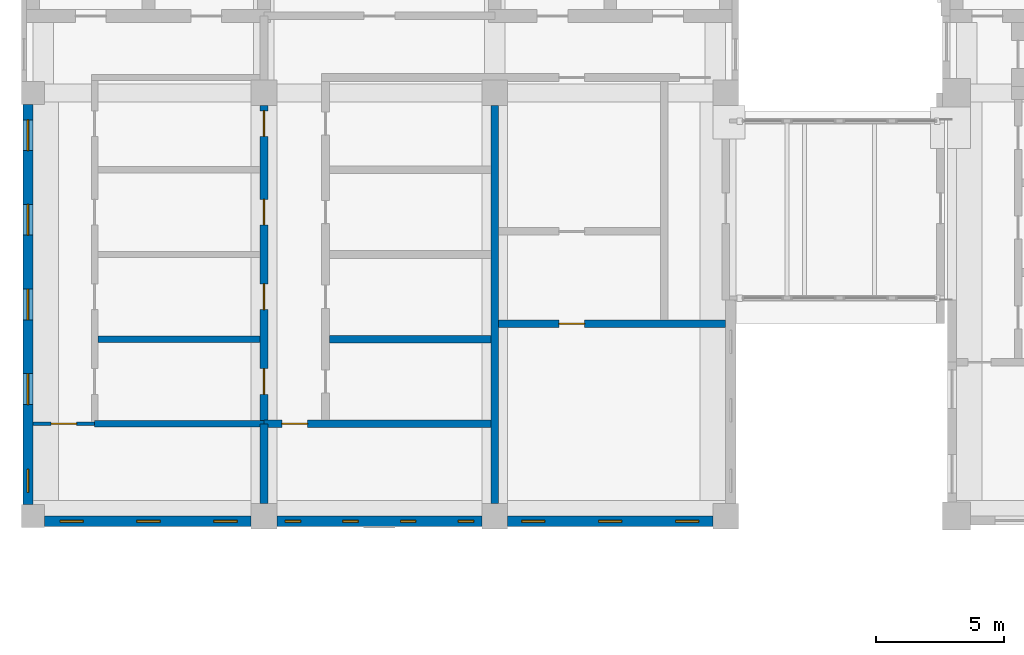
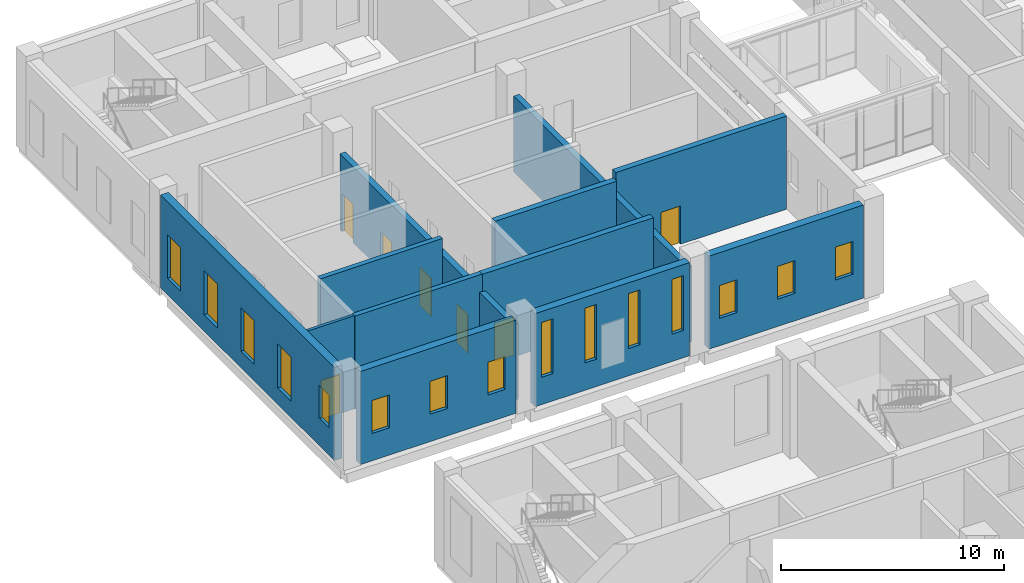
# One storey, part 30 of 52: 15 windows, 13 walls, 7 doors, 22 openings.
"""IFC4 building model written with IfcOpenShell, lengths in metres."""

from ifc_helpers import new_model, si_unit, direction, frame, frame_2d, origin, place, context, subcontext, project, spatial, rectangle, extrude, material, layer, layer_set, type_object, element, fill, save


model = new_model("IFC4")

# Units and contexts
model_context = context("Model", 3, precision=1e-05, world=origin(), true_north=direction((0.0, 1.0)))
body_context = subcontext(model_context, "Body", "Model", "MODEL_VIEW")
ifc_project = project(units=[si_unit("LENGTHUNIT", "METRE"), si_unit("AREAUNIT", "SQUARE_METRE"), si_unit("VOLUMEUNIT", "CUBIC_METRE"), si_unit("PLANEANGLEUNIT", "RADIAN"), si_unit("MASSUNIT", "GRAM", prefix="KILO")], contexts=[model_context])

# Site, building, storey
site_placement = place(None, origin())
site = spatial("IfcSite", under=ifc_project, at=site_placement, CompositionType="ELEMENT")
building_placement = place(site_placement, origin())
building = spatial("IfcBuilding", under=site, at=building_placement, Name="Aurelan Courthouse", CompositionType="ELEMENT")
storey_placement = place(building_placement, frame((0.0, 0.0, 6.60009765625)))
storey = spatial("IfcBuildingStorey", under=building, at=storey_placement, Name="L01", CompositionType="ELEMENT", Elevation=6.60009765625)

# Wall, opening, door
ifc_material_1 = material(Name="Gypsum board on metal studs")
ifc_layer_1 = layer(ifc_material_1, 0.14990234375)
ifc_layer_set_1 = layer_set([ifc_layer_1], Name="Gypsum board on metal studs")
wall_type_1 = type_object("IfcWallType", Name="Corridor partition 150 EI 60", PredefinedType="PARTITIONING", material=ifc_layer_set_1)
wall_1_placement = place(storey_placement, frame((0.0, 41.10009765625, 0.0), z_axis=(0.0, 0.0, 1.0), x_axis=(1.0, 0.0, 0.0)))
wall_1 = element("IfcWall", 1, at=wall_1_placement, inside=storey, type_object=wall_type_1, Name="Corridor partition L01-030", PredefinedType="PARTITIONING", context=body_context, shape_type="SweptSolid", body=[
    extrude(rectangle(XDim=2.39990234375, YDim=0.14990234375, at=frame_2d((1.199951171875, 0.0))), origin(), (0.0, 0.0, 1.0), 5.099853515625),
])
opening_1_placement = place(wall_1_placement, frame((1.699951171875, 0.0, 0.0), z_axis=(0.0, 0.0, 1.0), x_axis=(-1.0, 0.0, 0.0)))
opening_1 = element("IfcOpeningElement", 2, at=opening_1_placement, cuts=wall_1, Name="Opening D-L01-109", PredefinedType="OPENING", context=body_context, shape_type="SweptSolid", body=[
    extrude(rectangle(XDim=1.0, YDim=2.10009765625, at=frame_2d((0.5, 1.050048828125))), frame((0.0, 0.0849609375, 0.0), z_axis=(0.0, -1.0, 0.0), x_axis=(1.0, 0.0, 0.0)), (0.0, 0.0, 1.0), 0.169921875),
])
ifc_material_2 = material(Name="Steel", Category="steel")
door_type_1 = type_object("IfcDoorType", Name="Single door 1000 x 2100 FD60", OperationType="SINGLE_SWING_LEFT", PredefinedType="DOOR", material=ifc_material_2)
door_1_placement = place(opening_1_placement, origin())
door_1 = element("IfcDoor", 3, at=door_1_placement, inside=storey, type_object=door_type_1, Name="Single door D-L01-109", OperationType="SINGLE_SWING_RIGHT", OverallHeight=2.10009765625, OverallWidth=1.0, PredefinedType="DOOR", context=body_context, shape_type="SweptSolid", body=[
    extrude(rectangle(XDim=1.0, YDim=2.10009765625, at=frame_2d((0.5, 1.050048828125))), frame((0.0, 0.02490234375, 0.0), z_axis=(0.0, -1.0, 0.0), x_axis=(1.0, 0.0, 0.0)), (0.0, 0.0, 1.0), 0.050048828125),
])
fill(opening_1, door_1)

# Walls
ifc_material_3 = material(Name="Masonry block", Category="masonry")
ifc_layer_2 = layer(ifc_material_3, 0.25)
ifc_layer_set_2 = layer_set([ifc_layer_2], Name="Masonry block")
wall_type_2 = type_object("IfcWallType", Name="Courtroom wall 250 EI 60", PredefinedType="PARTITIONING", material=ifc_layer_set_2)
wall_2_placement = place(storey_placement, frame((2.39990234375, 41.10009765625, 0.0), z_axis=(0.0, 0.0, 1.0), x_axis=(1.0, 0.0, 0.0)))
element("IfcWall", 4, at=wall_2_placement, inside=storey, type_object=wall_type_2, Name="Courtroom wall L01-031", PredefinedType="PARTITIONING", context=body_context, shape_type="SweptSolid", body=[
    extrude(rectangle(XDim=6.60009765625, YDim=0.25, at=frame_2d((3.300048828125, 0.0))), origin(), (0.0, 0.0, 1.0), 5.099853515625),
])
wall_3_placement = place(storey_placement, frame((2.52490234375, 44.39990234375, 0.0), z_axis=(0.0, 0.0, 1.0), x_axis=(1.0, 0.0, 0.0)))
element("IfcWall", 5, at=wall_3_placement, inside=storey, type_object=wall_type_2, Name="Courtroom wall L01-034", PredefinedType="PARTITIONING", context=body_context, shape_type="SweptSolid", body=[
    extrude(rectangle(XDim=6.3251953125, YDim=0.25, at=frame_2d((3.16259765625, 0.0))), origin(), (0.0, 0.0, 1.0), 5.099853515625),
])

# Wall, openings, windows
ifc_material_4 = material(Name="Granite cladding", Category="masonry")
ifc_layer_3 = layer(ifc_material_4, 0.114990234375, Name="Facing")
ifc_material_5 = material(Name="Ventilated cavity")
ifc_layer_4 = layer(ifc_material_5, 0.02490234375, ventilated=True, Name="Ventilated cavity")
ifc_material_6 = material(Name="Mineral wool insulation")
ifc_layer_5 = layer(ifc_material_6, 0.054931640625, Name="Insulation")
ifc_material_7 = material(Name="Concrete C30", Category="concrete")
ifc_layer_6 = layer(ifc_material_7, 0.205078125, Name="Structure")
ifc_layer_set_3 = layer_set([ifc_layer_3, ifc_layer_4, ifc_layer_5, ifc_layer_6], Name="Concrete C30")
wall_type_3 = type_object("IfcWallType", Name="Custody Suite granite-faced wall 400", PredefinedType="SOLIDWALL", material=ifc_layer_set_3)
wall_4_placement = place(storey_placement, frame((0.449951171875, 37.300048828125, 0.0), z_axis=(0.0, 0.0, 1.0), x_axis=(1.0, 0.0, 0.0)))
wall_4 = element("IfcWall", 6, at=wall_4_placement, inside=storey, type_object=wall_type_3, Name="Facade wall FW-V6-L01-001", PredefinedType="SOLIDWALL", context=body_context, shape_type="SweptSolid", body=[
    extrude(rectangle(XDim=8.050048828125, YDim=0.39990234375, at=frame_2d((4.02490234375, 0.0))), origin(), (0.0, 0.0, 1.0), 5.099853515625),
])
opening_2_placement = place(wall_4_placement, frame((0.60009765625, 0.0, 1.5)))
opening_2 = element("IfcOpeningElement", 7, at=opening_2_placement, cuts=wall_4, Name="Opening WN-V6-L01-001", PredefinedType="OPENING", context=body_context, shape_type="SweptSolid", body=[
    extrude(rectangle(XDim=0.89990234375, YDim=1.800048828125, at=frame_2d((0.449951171875, 0.89990234375))), frame((0.0, 0.2099609375, 0.0), z_axis=(0.0, -1.0, 0.0), x_axis=(1.0, 0.0, 0.0)), (0.0, 0.0, 1.0), 0.419921875),
])
opening_3_placement = place(wall_4_placement, frame((3.60009765625, 0.0, 1.5)))
opening_3 = element("IfcOpeningElement", 8, at=opening_3_placement, cuts=wall_4, Name="Opening WN-V6-L01-002", PredefinedType="OPENING", context=body_context, shape_type="SweptSolid", body=[
    extrude(rectangle(XDim=0.89990234375, YDim=1.800048828125, at=frame_2d((0.449951171875, 0.89990234375))), frame((0.0, 0.2099609375, 0.0), z_axis=(0.0, -1.0, 0.0), x_axis=(1.0, 0.0, 0.0)), (0.0, 0.0, 1.0), 0.419921875),
])
opening_4_placement = place(wall_4_placement, frame((6.60009765625, 0.0, 1.5)))
opening_4 = element("IfcOpeningElement", 9, at=opening_4_placement, cuts=wall_4, Name="Opening WN-V6-L01-003", PredefinedType="OPENING", context=body_context, shape_type="SweptSolid", body=[
    extrude(rectangle(XDim=0.89990234375, YDim=1.800048828125, at=frame_2d((0.449951171875, 0.89990234375))), frame((0.0, 0.2099609375, 0.0), z_axis=(0.0, -1.0, 0.0), x_axis=(1.0, 0.0, 0.0)), (0.0, 0.0, 1.0), 0.419921875),
])
ifc_material_8 = material(Name="Bronze-finished aluminium and glass", Category="aluminium")
window_type_1 = type_object("IfcWindowType", Name="Custody Suite window 900 x 1800, sill 1500", PartitioningType="SINGLE_PANEL", PredefinedType="WINDOW", material=ifc_material_8)
window_1_placement = place(opening_2_placement, origin())
window_1 = element("IfcWindow", 10, at=window_1_placement, inside=storey, type_object=window_type_1, Name="Window WN-V6-L01-001", OverallHeight=1.800048828125, OverallWidth=0.89990234375, PartitioningType="SINGLE_PANEL", PredefinedType="WINDOW", context=body_context, shape_type="SweptSolid", body=[
    extrude(rectangle(XDim=0.89990234375, YDim=1.800048828125, at=frame_2d((0.449951171875, 0.89990234375))), frame((0.0, 0.030029296875, 0.0), z_axis=(0.0, -1.0, 0.0), x_axis=(1.0, 0.0, 0.0)), (0.0, 0.0, 1.0), 0.06005859375),
])
fill(opening_2, window_1)
window_2_placement = place(opening_3_placement, origin())
window_2 = element("IfcWindow", 11, at=window_2_placement, inside=storey, type_object=window_type_1, Name="Window WN-V6-L01-002", OverallHeight=1.800048828125, OverallWidth=0.89990234375, PartitioningType="SINGLE_PANEL", PredefinedType="WINDOW", context=body_context, shape_type="SweptSolid", body=[
    extrude(rectangle(XDim=0.89990234375, YDim=1.800048828125, at=frame_2d((0.449951171875, 0.89990234375))), frame((0.0, 0.030029296875, 0.0), z_axis=(0.0, -1.0, 0.0), x_axis=(1.0, 0.0, 0.0)), (0.0, 0.0, 1.0), 0.06005859375),
])
fill(opening_3, window_2)
window_3_placement = place(opening_4_placement, origin())
window_3 = element("IfcWindow", 12, at=window_3_placement, inside=storey, type_object=window_type_1, Name="Window WN-V6-L01-003", OverallHeight=1.800048828125, OverallWidth=0.89990234375, PartitioningType="SINGLE_PANEL", PredefinedType="WINDOW", context=body_context, shape_type="SweptSolid", body=[
    extrude(rectangle(XDim=0.89990234375, YDim=1.800048828125, at=frame_2d((0.449951171875, 0.89990234375))), frame((0.0, 0.030029296875, 0.0), z_axis=(0.0, -1.0, 0.0), x_axis=(1.0, 0.0, 0.0)), (0.0, 0.0, 1.0), 0.06005859375),
])
fill(opening_4, window_3)

wall_5_placement = place(storey_placement, frame((9.5, 37.300048828125, 0.0), z_axis=(0.0, 0.0, 1.0), x_axis=(1.0, 0.0, 0.0)))
wall_5 = element("IfcWall", 13, at=wall_5_placement, inside=storey, type_object=wall_type_3, Name="Facade wall FW-V6-L01-002", PredefinedType="SOLIDWALL", context=body_context, shape_type="SweptSolid", body=[
    extrude(rectangle(XDim=8.0, YDim=0.39990234375, at=frame_2d((4.0, 0.0))), origin(), (0.0, 0.0, 1.0), 5.099853515625),
])
opening_5_placement = place(wall_5_placement, frame((0.324951171875, 0.0, 1.5)))
opening_5 = element("IfcOpeningElement", 14, at=opening_5_placement, cuts=wall_5, Name="Opening WN-V6-L01-004", PredefinedType="OPENING", context=body_context, shape_type="SweptSolid", body=[
    extrude(rectangle(XDim=0.60009765625, YDim=3.0, at=frame_2d((0.300048828125, 1.5))), frame((0.0, 0.2099609375, 0.0), z_axis=(0.0, -1.0, 0.0), x_axis=(1.0, 0.0, 0.0)), (0.0, 0.0, 1.0), 0.419921875),
])
opening_6_placement = place(wall_5_placement, frame((2.574951171875, 0.0, 1.5)))
opening_6 = element("IfcOpeningElement", 15, at=opening_6_placement, cuts=wall_5, Name="Opening WN-V6-L01-005", PredefinedType="OPENING", context=body_context, shape_type="SweptSolid", body=[
    extrude(rectangle(XDim=0.60009765625, YDim=3.0, at=frame_2d((0.300048828125, 1.5))), frame((0.0, 0.2099609375, 0.0), z_axis=(0.0, -1.0, 0.0), x_axis=(1.0, 0.0, 0.0)), (0.0, 0.0, 1.0), 0.419921875),
])
opening_7_placement = place(wall_5_placement, frame((4.824951171875, 0.0, 1.5)))
opening_7 = element("IfcOpeningElement", 16, at=opening_7_placement, cuts=wall_5, Name="Opening WN-V6-L01-006", PredefinedType="OPENING", context=body_context, shape_type="SweptSolid", body=[
    extrude(rectangle(XDim=0.60009765625, YDim=3.0, at=frame_2d((0.300048828125, 1.5))), frame((0.0, 0.2099609375, 0.0), z_axis=(0.0, -1.0, 0.0), x_axis=(1.0, 0.0, 0.0)), (0.0, 0.0, 1.0), 0.419921875),
])
opening_8_placement = place(wall_5_placement, frame((7.074951171875, 0.0, 1.5)))
opening_8 = element("IfcOpeningElement", 17, at=opening_8_placement, cuts=wall_5, Name="Opening WN-V6-L01-007", PredefinedType="OPENING", context=body_context, shape_type="SweptSolid", body=[
    extrude(rectangle(XDim=0.60009765625, YDim=3.0, at=frame_2d((0.300048828125, 1.5))), frame((0.0, 0.2099609375, 0.0), z_axis=(0.0, -1.0, 0.0), x_axis=(1.0, 0.0, 0.0)), (0.0, 0.0, 1.0), 0.419921875),
])
window_type_2 = type_object("IfcWindowType", Name="Custody Suite slit window 600 x 3000, sill 1500", PartitioningType="SINGLE_PANEL", PredefinedType="WINDOW", material=ifc_material_8)
window_4_placement = place(opening_5_placement, origin())
window_4 = element("IfcWindow", 18, at=window_4_placement, inside=storey, type_object=window_type_2, Name="Slit window WN-V6-L01-004", OverallHeight=3.0, OverallWidth=0.60009765625, PartitioningType="SINGLE_PANEL", PredefinedType="WINDOW", context=body_context, shape_type="SweptSolid", body=[
    extrude(rectangle(XDim=0.60009765625, YDim=3.0, at=frame_2d((0.300048828125, 1.5))), frame((0.0, 0.030029296875, 0.0), z_axis=(0.0, -1.0, 0.0), x_axis=(1.0, 0.0, 0.0)), (0.0, 0.0, 1.0), 0.06005859375),
])
fill(opening_5, window_4)
window_5_placement = place(opening_6_placement, origin())
window_5 = element("IfcWindow", 19, at=window_5_placement, inside=storey, type_object=window_type_2, Name="Slit window WN-V6-L01-005", OverallHeight=3.0, OverallWidth=0.60009765625, PartitioningType="SINGLE_PANEL", PredefinedType="WINDOW", context=body_context, shape_type="SweptSolid", body=[
    extrude(rectangle(XDim=0.60009765625, YDim=3.0, at=frame_2d((0.300048828125, 1.5))), frame((0.0, 0.030029296875, 0.0), z_axis=(0.0, -1.0, 0.0), x_axis=(1.0, 0.0, 0.0)), (0.0, 0.0, 1.0), 0.06005859375),
])
fill(opening_6, window_5)
window_6_placement = place(opening_7_placement, origin())
window_6 = element("IfcWindow", 20, at=window_6_placement, inside=storey, type_object=window_type_2, Name="Slit window WN-V6-L01-006", OverallHeight=3.0, OverallWidth=0.60009765625, PartitioningType="SINGLE_PANEL", PredefinedType="WINDOW", context=body_context, shape_type="SweptSolid", body=[
    extrude(rectangle(XDim=0.60009765625, YDim=3.0, at=frame_2d((0.300048828125, 1.5))), frame((0.0, 0.030029296875, 0.0), z_axis=(0.0, -1.0, 0.0), x_axis=(1.0, 0.0, 0.0)), (0.0, 0.0, 1.0), 0.06005859375),
])
fill(opening_7, window_6)
window_7_placement = place(opening_8_placement, origin())
window_7 = element("IfcWindow", 21, at=window_7_placement, inside=storey, type_object=window_type_2, Name="Slit window WN-V6-L01-007", OverallHeight=3.0, OverallWidth=0.60009765625, PartitioningType="SINGLE_PANEL", PredefinedType="WINDOW", context=body_context, shape_type="SweptSolid", body=[
    extrude(rectangle(XDim=0.60009765625, YDim=3.0, at=frame_2d((0.300048828125, 1.5))), frame((0.0, 0.030029296875, 0.0), z_axis=(0.0, -1.0, 0.0), x_axis=(1.0, 0.0, 0.0)), (0.0, 0.0, 1.0), 0.06005859375),
])
fill(opening_8, window_7)

wall_6_placement = place(storey_placement, frame((18.5, 37.300048828125, 0.0), z_axis=(0.0, 0.0, 1.0), x_axis=(1.0, 0.0, 0.0)))
wall_6 = element("IfcWall", 22, at=wall_6_placement, inside=storey, type_object=wall_type_3, Name="Facade wall FW-V6-L01-003", PredefinedType="SOLIDWALL", context=body_context, shape_type="SweptSolid", body=[
    extrude(rectangle(XDim=8.0, YDim=0.39990234375, at=frame_2d((4.0, 0.0))), origin(), (0.0, 0.0, 1.0), 5.099853515625),
])
opening_9_placement = place(wall_6_placement, frame((0.550048828125, 0.0, 1.5)))
opening_9 = element("IfcOpeningElement", 23, at=opening_9_placement, cuts=wall_6, Name="Opening WN-V6-L01-008", PredefinedType="OPENING", context=body_context, shape_type="SweptSolid", body=[
    extrude(rectangle(XDim=0.89990234375, YDim=1.800048828125, at=frame_2d((0.449951171875, 0.89990234375))), frame((0.0, 0.2099609375, 0.0), z_axis=(0.0, -1.0, 0.0), x_axis=(1.0, 0.0, 0.0)), (0.0, 0.0, 1.0), 0.419921875),
])
opening_10_placement = place(wall_6_placement, frame((3.550048828125, 0.0, 1.5)))
opening_10 = element("IfcOpeningElement", 24, at=opening_10_placement, cuts=wall_6, Name="Opening WN-V6-L01-009", PredefinedType="OPENING", context=body_context, shape_type="SweptSolid", body=[
    extrude(rectangle(XDim=0.89990234375, YDim=1.800048828125, at=frame_2d((0.449951171875, 0.89990234375))), frame((0.0, 0.2099609375, 0.0), z_axis=(0.0, -1.0, 0.0), x_axis=(1.0, 0.0, 0.0)), (0.0, 0.0, 1.0), 0.419921875),
])
opening_11_placement = place(wall_6_placement, frame((6.550048828125, 0.0, 1.5)))
opening_11 = element("IfcOpeningElement", 25, at=opening_11_placement, cuts=wall_6, Name="Opening WN-V6-L01-010", PredefinedType="OPENING", context=body_context, shape_type="SweptSolid", body=[
    extrude(rectangle(XDim=0.89990234375, YDim=1.800048828125, at=frame_2d((0.449951171875, 0.89990234375))), frame((0.0, 0.2099609375, 0.0), z_axis=(0.0, -1.0, 0.0), x_axis=(1.0, 0.0, 0.0)), (0.0, 0.0, 1.0), 0.419921875),
])
window_8_placement = place(opening_9_placement, origin())
window_8 = element("IfcWindow", 26, at=window_8_placement, inside=storey, type_object=window_type_1, Name="Window WN-V6-L01-008", OverallHeight=1.800048828125, OverallWidth=0.89990234375, PartitioningType="SINGLE_PANEL", PredefinedType="WINDOW", context=body_context, shape_type="SweptSolid", body=[
    extrude(rectangle(XDim=0.89990234375, YDim=1.800048828125, at=frame_2d((0.449951171875, 0.89990234375))), frame((0.0, 0.030029296875, 0.0), z_axis=(0.0, -1.0, 0.0), x_axis=(1.0, 0.0, 0.0)), (0.0, 0.0, 1.0), 0.06005859375),
])
fill(opening_9, window_8)
window_9_placement = place(opening_10_placement, origin())
window_9 = element("IfcWindow", 27, at=window_9_placement, inside=storey, type_object=window_type_1, Name="Window WN-V6-L01-009", OverallHeight=1.800048828125, OverallWidth=0.89990234375, PartitioningType="SINGLE_PANEL", PredefinedType="WINDOW", context=body_context, shape_type="SweptSolid", body=[
    extrude(rectangle(XDim=0.89990234375, YDim=1.800048828125, at=frame_2d((0.449951171875, 0.89990234375))), frame((0.0, 0.030029296875, 0.0), z_axis=(0.0, -1.0, 0.0), x_axis=(1.0, 0.0, 0.0)), (0.0, 0.0, 1.0), 0.06005859375),
])
fill(opening_10, window_9)
window_10_placement = place(opening_11_placement, origin())
window_10 = element("IfcWindow", 28, at=window_10_placement, inside=storey, type_object=window_type_1, Name="Window WN-V6-L01-010", OverallHeight=1.800048828125, OverallWidth=0.89990234375, PartitioningType="SINGLE_PANEL", PredefinedType="WINDOW", context=body_context, shape_type="SweptSolid", body=[
    extrude(rectangle(XDim=0.89990234375, YDim=1.800048828125, at=frame_2d((0.449951171875, 0.89990234375))), frame((0.0, 0.030029296875, 0.0), z_axis=(0.0, -1.0, 0.0), x_axis=(1.0, 0.0, 0.0)), (0.0, 0.0, 1.0), 0.06005859375),
])
fill(opening_11, window_10)

wall_7_placement = place(storey_placement, frame((-0.199951171875, 37.949951171875, 0.0), z_axis=(0.0, 0.0, 1.0), x_axis=(0.0, 1.0, 0.0)))
wall_7 = element("IfcWall", 29, at=wall_7_placement, inside=storey, type_object=wall_type_3, Name="Facade wall FW-V6-L01-009", PredefinedType="SOLIDWALL", context=body_context, shape_type="SweptSolid", body=[
    extrude(rectangle(XDim=15.60009765625, YDim=0.39990234375, at=frame_2d((7.800048828125, 0.0))), origin(), (0.0, 0.0, 1.0), 5.099853515625),
])
opening_12_placement = place(wall_7_placement, frame((3.89990234375, 0.0, 0.89990234375)))
opening_12 = element("IfcOpeningElement", 30, at=opening_12_placement, cuts=wall_7, Name="Opening WN-V6-L01-018", PredefinedType="OPENING", context=body_context, shape_type="SweptSolid", body=[
    extrude(rectangle(XDim=1.199951171875, YDim=2.39990234375, at=frame_2d((0.60009765625, 1.199951171875))), frame((0.0, 0.2099609375, 0.0), z_axis=(0.0, -1.0, 0.0), x_axis=(1.0, 0.0, 0.0)), (0.0, 0.0, 1.0), 0.419921875),
])
opening_13_placement = place(wall_7_placement, frame((7.199951171875, 0.0, 0.89990234375)))
opening_13 = element("IfcOpeningElement", 31, at=opening_13_placement, cuts=wall_7, Name="Opening WN-V6-L01-019", PredefinedType="OPENING", context=body_context, shape_type="SweptSolid", body=[
    extrude(rectangle(XDim=1.199951171875, YDim=2.39990234375, at=frame_2d((0.60009765625, 1.199951171875))), frame((0.0, 0.2099609375, 0.0), z_axis=(0.0, -1.0, 0.0), x_axis=(1.0, 0.0, 0.0)), (0.0, 0.0, 1.0), 0.419921875),
])
opening_14_placement = place(wall_7_placement, frame((10.5, 0.0, 0.89990234375)))
opening_14 = element("IfcOpeningElement", 32, at=opening_14_placement, cuts=wall_7, Name="Opening WN-V6-L01-020", PredefinedType="OPENING", context=body_context, shape_type="SweptSolid", body=[
    extrude(rectangle(XDim=1.199951171875, YDim=2.39990234375, at=frame_2d((0.60009765625, 1.199951171875))), frame((0.0, 0.2099609375, 0.0), z_axis=(0.0, -1.0, 0.0), x_axis=(1.0, 0.0, 0.0)), (0.0, 0.0, 1.0), 0.419921875),
])
opening_15_placement = place(wall_7_placement, frame((13.800048828125, 0.0, 0.89990234375)))
opening_15 = element("IfcOpeningElement", 33, at=opening_15_placement, cuts=wall_7, Name="Opening WN-V6-L01-021", PredefinedType="OPENING", context=body_context, shape_type="SweptSolid", body=[
    extrude(rectangle(XDim=1.199951171875, YDim=2.39990234375, at=frame_2d((0.60009765625, 1.199951171875))), frame((0.0, 0.2099609375, 0.0), z_axis=(0.0, -1.0, 0.0), x_axis=(1.0, 0.0, 0.0)), (0.0, 0.0, 1.0), 0.419921875),
])
opening_16_placement = place(wall_7_placement, frame((0.47509765625, 0.0, 1.5)))
opening_16 = element("IfcOpeningElement", 34, at=opening_16_placement, cuts=wall_7, Name="Opening WN-V6-L01-022", PredefinedType="OPENING", context=body_context, shape_type="SweptSolid", body=[
    extrude(rectangle(XDim=0.89990234375, YDim=1.800048828125, at=frame_2d((0.449951171875, 0.89990234375))), frame((0.0, 0.2099609375, 0.0), z_axis=(0.0, -1.0, 0.0), x_axis=(1.0, 0.0, 0.0)), (0.0, 0.0, 1.0), 0.419921875),
])
window_type_3 = type_object("IfcWindowType", Name="Custody Suite glazed slot 1200 x 2400, sill 900", PartitioningType="SINGLE_PANEL", PredefinedType="WINDOW", material=ifc_material_8)
window_11_placement = place(opening_12_placement, origin())
window_11 = element("IfcWindow", 35, at=window_11_placement, inside=storey, type_object=window_type_3, Name="Glazed slot WN-V6-L01-018", OverallHeight=2.39990234375, OverallWidth=1.199951171875, PartitioningType="SINGLE_PANEL", PredefinedType="WINDOW", context=body_context, shape_type="SweptSolid", body=[
    extrude(rectangle(XDim=1.199951171875, YDim=2.39990234375, at=frame_2d((0.60009765625, 1.199951171875))), frame((0.0, 0.030029296875, 0.0), z_axis=(0.0, -1.0, 0.0), x_axis=(1.0, 0.0, 0.0)), (0.0, 0.0, 1.0), 0.06005859375),
])
fill(opening_12, window_11)
window_12_placement = place(opening_13_placement, origin())
window_12 = element("IfcWindow", 36, at=window_12_placement, inside=storey, type_object=window_type_3, Name="Glazed slot WN-V6-L01-019", OverallHeight=2.39990234375, OverallWidth=1.199951171875, PartitioningType="SINGLE_PANEL", PredefinedType="WINDOW", context=body_context, shape_type="SweptSolid", body=[
    extrude(rectangle(XDim=1.199951171875, YDim=2.39990234375, at=frame_2d((0.60009765625, 1.199951171875))), frame((0.0, 0.030029296875, 0.0), z_axis=(0.0, -1.0, 0.0), x_axis=(1.0, 0.0, 0.0)), (0.0, 0.0, 1.0), 0.06005859375),
])
fill(opening_13, window_12)
window_13_placement = place(opening_14_placement, origin())
window_13 = element("IfcWindow", 37, at=window_13_placement, inside=storey, type_object=window_type_3, Name="Glazed slot WN-V6-L01-020", OverallHeight=2.39990234375, OverallWidth=1.199951171875, PartitioningType="SINGLE_PANEL", PredefinedType="WINDOW", context=body_context, shape_type="SweptSolid", body=[
    extrude(rectangle(XDim=1.199951171875, YDim=2.39990234375, at=frame_2d((0.60009765625, 1.199951171875))), frame((0.0, 0.030029296875, 0.0), z_axis=(0.0, -1.0, 0.0), x_axis=(1.0, 0.0, 0.0)), (0.0, 0.0, 1.0), 0.06005859375),
])
fill(opening_14, window_13)
window_14_placement = place(opening_15_placement, origin())
window_14 = element("IfcWindow", 38, at=window_14_placement, inside=storey, type_object=window_type_3, Name="Glazed slot WN-V6-L01-021", OverallHeight=2.39990234375, OverallWidth=1.199951171875, PartitioningType="SINGLE_PANEL", PredefinedType="WINDOW", context=body_context, shape_type="SweptSolid", body=[
    extrude(rectangle(XDim=1.199951171875, YDim=2.39990234375, at=frame_2d((0.60009765625, 1.199951171875))), frame((0.0, 0.030029296875, 0.0), z_axis=(0.0, -1.0, 0.0), x_axis=(1.0, 0.0, 0.0)), (0.0, 0.0, 1.0), 0.06005859375),
])
fill(opening_15, window_14)
window_15_placement = place(opening_16_placement, origin())
window_15 = element("IfcWindow", 39, at=window_15_placement, inside=storey, type_object=window_type_1, Name="Window WN-V6-L01-022", OverallHeight=1.800048828125, OverallWidth=0.89990234375, PartitioningType="SINGLE_PANEL", PredefinedType="WINDOW", context=body_context, shape_type="SweptSolid", body=[
    extrude(rectangle(XDim=0.89990234375, YDim=1.800048828125, at=frame_2d((0.449951171875, 0.89990234375))), frame((0.0, 0.030029296875, 0.0), z_axis=(0.0, -1.0, 0.0), x_axis=(1.0, 0.0, 0.0)), (0.0, 0.0, 1.0), 0.06005859375),
])
fill(opening_16, window_15)

# Wall, opening, door
ifc_layer_7 = layer(ifc_material_7, 0.300048828125)
ifc_layer_set_4 = layer_set([ifc_layer_7], Name="Concrete C30")
wall_type_4 = type_object("IfcWallType", Name="Custody wall 300 EI 120", PredefinedType="PARTITIONING", material=ifc_layer_set_4)
wall_8_placement = place(storey_placement, frame((9.0, 41.10009765625, 0.0), z_axis=(0.0, 0.0, 1.0), x_axis=(1.0, 0.0, 0.0)))
wall_8 = element("IfcWall", 40, at=wall_8_placement, inside=storey, type_object=wall_type_4, Name="Custody wall L01-032", PredefinedType="PARTITIONING", context=body_context, shape_type="SweptSolid", body=[
    extrude(rectangle(XDim=8.85009765625, YDim=0.300048828125, at=frame_2d((4.425048828125, 0.0))), origin(), (0.0, 0.0, 1.0), 5.099853515625),
])
opening_17_placement = place(wall_8_placement, frame((1.699951171875, 0.0, 0.0), z_axis=(0.0, 0.0, 1.0), x_axis=(-1.0, 0.0, 0.0)))
opening_17 = element("IfcOpeningElement", 41, at=opening_17_placement, cuts=wall_8, Name="Opening D-L01-110", PredefinedType="OPENING", context=body_context, shape_type="SweptSolid", body=[
    extrude(rectangle(XDim=1.0, YDim=2.10009765625, at=frame_2d((0.5, 1.050048828125))), frame((0.0, 0.159912109375, 0.0), z_axis=(0.0, -1.0, 0.0), x_axis=(1.0, 0.0, 0.0)), (0.0, 0.0, 1.0), 0.320068359375),
])
door_type_2 = type_object("IfcDoorType", Name="Single door 1000 x 2100 FD120", OperationType="SINGLE_SWING_LEFT", PredefinedType="DOOR", material=ifc_material_2)
door_2_placement = place(opening_17_placement, origin())
door_2 = element("IfcDoor", 42, at=door_2_placement, inside=storey, type_object=door_type_2, Name="Single door D-L01-110", OperationType="SINGLE_SWING_RIGHT", OverallHeight=2.10009765625, OverallWidth=1.0, PredefinedType="DOOR", context=body_context, shape_type="SweptSolid", body=[
    extrude(rectangle(XDim=1.0, YDim=2.10009765625, at=frame_2d((0.5, 1.050048828125))), frame((0.0, 0.02490234375, 0.0), z_axis=(0.0, -1.0, 0.0), x_axis=(1.0, 0.0, 0.0)), (0.0, 0.0, 1.0), 0.050048828125),
])
fill(opening_17, door_2)

# Wall
wall_9_placement = place(storey_placement, frame((11.550048828125, 44.39990234375, 0.0), z_axis=(0.0, 0.0, 1.0), x_axis=(1.0, 0.0, 0.0)))
element("IfcWall", 43, at=wall_9_placement, inside=storey, type_object=wall_type_4, Name="Custody wall L01-035", PredefinedType="PARTITIONING", context=body_context, shape_type="SweptSolid", body=[
    extrude(rectangle(XDim=6.300048828125, YDim=0.300048828125, at=frame_2d((3.14990234375, 0.0))), origin(), (0.0, 0.0, 1.0), 5.099853515625),
])

# Wall, opening, door
wall_10_placement = place(storey_placement, frame((18.14990234375, 45.0, 0.0), z_axis=(0.0, 0.0, 1.0), x_axis=(1.0, 0.0, 0.0)))
wall_10 = element("IfcWall", 44, at=wall_10_placement, inside=storey, type_object=wall_type_4, Name="Custody wall L01-036", PredefinedType="PARTITIONING", context=body_context, shape_type="SweptSolid", body=[
    extrude(rectangle(XDim=8.85009765625, YDim=0.300048828125, at=frame_2d((4.425048828125, 0.0))), origin(), (0.0, 0.0, 1.0), 5.099853515625),
])
opening_18_placement = place(wall_10_placement, frame((3.35009765625, 0.0, 0.0), z_axis=(0.0, 0.0, 1.0), x_axis=(-1.0, 0.0, 0.0)))
opening_18 = element("IfcOpeningElement", 45, at=opening_18_placement, cuts=wall_10, Name="Opening D-L01-117", PredefinedType="OPENING", context=body_context, shape_type="SweptSolid", body=[
    extrude(rectangle(XDim=1.0, YDim=2.10009765625, at=frame_2d((0.5, 1.050048828125))), frame((0.0, 0.159912109375, 0.0), z_axis=(0.0, -1.0, 0.0), x_axis=(1.0, 0.0, 0.0)), (0.0, 0.0, 1.0), 0.320068359375),
])
door_3_placement = place(opening_18_placement, origin())
door_3 = element("IfcDoor", 46, at=door_3_placement, inside=storey, type_object=door_type_2, Name="Single door D-L01-117", OperationType="SINGLE_SWING_RIGHT", OverallHeight=2.10009765625, OverallWidth=1.0, PredefinedType="DOOR", context=body_context, shape_type="SweptSolid", body=[
    extrude(rectangle(XDim=1.0, YDim=2.10009765625, at=frame_2d((0.5, 1.050048828125))), frame((0.0, 0.02490234375, 0.0), z_axis=(0.0, -1.0, 0.0), x_axis=(1.0, 0.0, 0.0)), (0.0, 0.0, 1.0), 0.050048828125),
])
fill(opening_18, door_3)

# Wall
wall_11_placement = place(storey_placement, frame((9.0, 38.0, 0.0), z_axis=(0.0, 0.0, 1.0), x_axis=(0.0, 1.0, 0.0)))
element("IfcWall", 47, at=wall_11_placement, inside=storey, type_object=wall_type_4, Name="Custody wall L01-072", PredefinedType="PARTITIONING", context=body_context, shape_type="SweptSolid", body=[
    extrude(rectangle(XDim=3.10009765625, YDim=0.300048828125, at=frame_2d((1.550048828125, 0.0))), origin(), (0.0, 0.0, 1.0), 4.14990234375),
])

# Wall, openings, doors
wall_12_placement = place(storey_placement, frame((9.0, 41.10009765625, 0.0), z_axis=(0.0, 0.0, 1.0), x_axis=(0.0, 1.0, 0.0)))
wall_12 = element("IfcWall", 48, at=wall_12_placement, inside=storey, type_object=wall_type_4, Name="Custody wall L01-073", PredefinedType="PARTITIONING", context=body_context, shape_type="SweptSolid", body=[
    extrude(rectangle(XDim=12.39990234375, YDim=0.300048828125, at=frame_2d((6.199951171875, 0.0))), origin(), (0.0, 0.0, 1.0), 4.14990234375),
])
opening_19_placement = place(wall_12_placement, frame((11.199951171875, 0.0, 0.0)))
opening_19 = element("IfcOpeningElement", 49, at=opening_19_placement, cuts=wall_12, Name="Opening D-L01-102", PredefinedType="OPENING", context=body_context, shape_type="SweptSolid", body=[
    extrude(rectangle(XDim=1.0, YDim=2.10009765625, at=frame_2d((0.5, 1.050048828125))), frame((0.0, 0.159912109375, 0.0), z_axis=(0.0, -1.0, 0.0), x_axis=(1.0, 0.0, 0.0)), (0.0, 0.0, 1.0), 0.320068359375),
])
opening_20_placement = place(wall_12_placement, frame((7.75, 0.0, 0.0)))
opening_20 = element("IfcOpeningElement", 50, at=opening_20_placement, cuts=wall_12, Name="Opening D-L01-104", PredefinedType="OPENING", context=body_context, shape_type="SweptSolid", body=[
    extrude(rectangle(XDim=1.0, YDim=2.10009765625, at=frame_2d((0.5, 1.050048828125))), frame((0.0, 0.159912109375, 0.0), z_axis=(0.0, -1.0, 0.0), x_axis=(1.0, 0.0, 0.0)), (0.0, 0.0, 1.0), 0.320068359375),
])
opening_21_placement = place(wall_12_placement, frame((4.449951171875, 0.0, 0.0)))
opening_21 = element("IfcOpeningElement", 51, at=opening_21_placement, cuts=wall_12, Name="Opening D-L01-106", PredefinedType="OPENING", context=body_context, shape_type="SweptSolid", body=[
    extrude(rectangle(XDim=1.0, YDim=2.10009765625, at=frame_2d((0.5, 1.050048828125))), frame((0.0, 0.159912109375, 0.0), z_axis=(0.0, -1.0, 0.0), x_axis=(1.0, 0.0, 0.0)), (0.0, 0.0, 1.0), 0.320068359375),
])
opening_22_placement = place(wall_12_placement, frame((1.14990234375, 0.0, 0.0)))
opening_22 = element("IfcOpeningElement", 52, at=opening_22_placement, cuts=wall_12, Name="Opening D-L01-108", PredefinedType="OPENING", context=body_context, shape_type="SweptSolid", body=[
    extrude(rectangle(XDim=1.0, YDim=2.10009765625, at=frame_2d((0.5, 1.050048828125))), frame((0.0, 0.159912109375, 0.0), z_axis=(0.0, -1.0, 0.0), x_axis=(1.0, 0.0, 0.0)), (0.0, 0.0, 1.0), 0.320068359375),
])
door_4_placement = place(opening_19_placement, origin())
door_4 = element("IfcDoor", 53, at=door_4_placement, inside=storey, type_object=door_type_2, Name="Single door D-L01-102", OperationType="SINGLE_SWING_LEFT", OverallHeight=2.10009765625, OverallWidth=1.0, PredefinedType="DOOR", context=body_context, shape_type="SweptSolid", body=[
    extrude(rectangle(XDim=1.0, YDim=2.10009765625, at=frame_2d((0.5, 1.050048828125))), frame((0.0, 0.02490234375, 0.0), z_axis=(0.0, -1.0, 0.0), x_axis=(1.0, 0.0, 0.0)), (0.0, 0.0, 1.0), 0.050048828125),
])
fill(opening_19, door_4)
door_5_placement = place(opening_20_placement, origin())
door_5 = element("IfcDoor", 54, at=door_5_placement, inside=storey, type_object=door_type_2, Name="Single door D-L01-104", OperationType="SINGLE_SWING_LEFT", OverallHeight=2.10009765625, OverallWidth=1.0, PredefinedType="DOOR", context=body_context, shape_type="SweptSolid", body=[
    extrude(rectangle(XDim=1.0, YDim=2.10009765625, at=frame_2d((0.5, 1.050048828125))), frame((0.0, 0.02490234375, 0.0), z_axis=(0.0, -1.0, 0.0), x_axis=(1.0, 0.0, 0.0)), (0.0, 0.0, 1.0), 0.050048828125),
])
fill(opening_20, door_5)
door_6_placement = place(opening_21_placement, origin())
door_6 = element("IfcDoor", 55, at=door_6_placement, inside=storey, type_object=door_type_2, Name="Single door D-L01-106", OperationType="SINGLE_SWING_LEFT", OverallHeight=2.10009765625, OverallWidth=1.0, PredefinedType="DOOR", context=body_context, shape_type="SweptSolid", body=[
    extrude(rectangle(XDim=1.0, YDim=2.10009765625, at=frame_2d((0.5, 1.050048828125))), frame((0.0, 0.02490234375, 0.0), z_axis=(0.0, -1.0, 0.0), x_axis=(1.0, 0.0, 0.0)), (0.0, 0.0, 1.0), 0.050048828125),
])
fill(opening_21, door_6)
door_7_placement = place(opening_22_placement, origin())
door_7 = element("IfcDoor", 56, at=door_7_placement, inside=storey, type_object=door_type_2, Name="Single door D-L01-108", OperationType="SINGLE_SWING_LEFT", OverallHeight=2.10009765625, OverallWidth=1.0, PredefinedType="DOOR", context=body_context, shape_type="SweptSolid", body=[
    extrude(rectangle(XDim=1.0, YDim=2.10009765625, at=frame_2d((0.5, 1.050048828125))), frame((0.0, 0.02490234375, 0.0), z_axis=(0.0, -1.0, 0.0), x_axis=(1.0, 0.0, 0.0)), (0.0, 0.0, 1.0), 0.050048828125),
])
fill(opening_22, door_7)

# Wall
wall_13_placement = place(storey_placement, frame((18.0, 38.0, 0.0), z_axis=(0.0, 0.0, 1.0), x_axis=(0.0, 1.0, 0.0)))
element("IfcWall", 57, at=wall_13_placement, inside=storey, type_object=wall_type_4, Name="Custody wall L01-079", PredefinedType="PARTITIONING", context=body_context, shape_type="SweptSolid", body=[
    extrude(rectangle(XDim=15.5, YDim=0.300048828125, at=frame_2d((7.75, 0.0))), origin(), (0.0, 0.0, 1.0), 4.14990234375),
])

save(model, "model.ifc")
